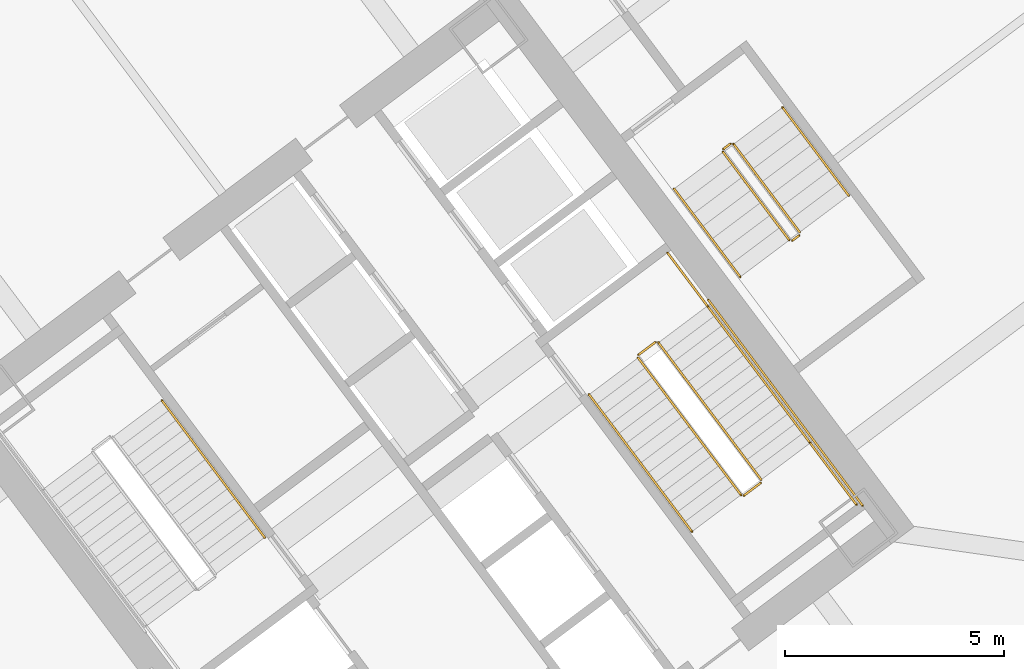
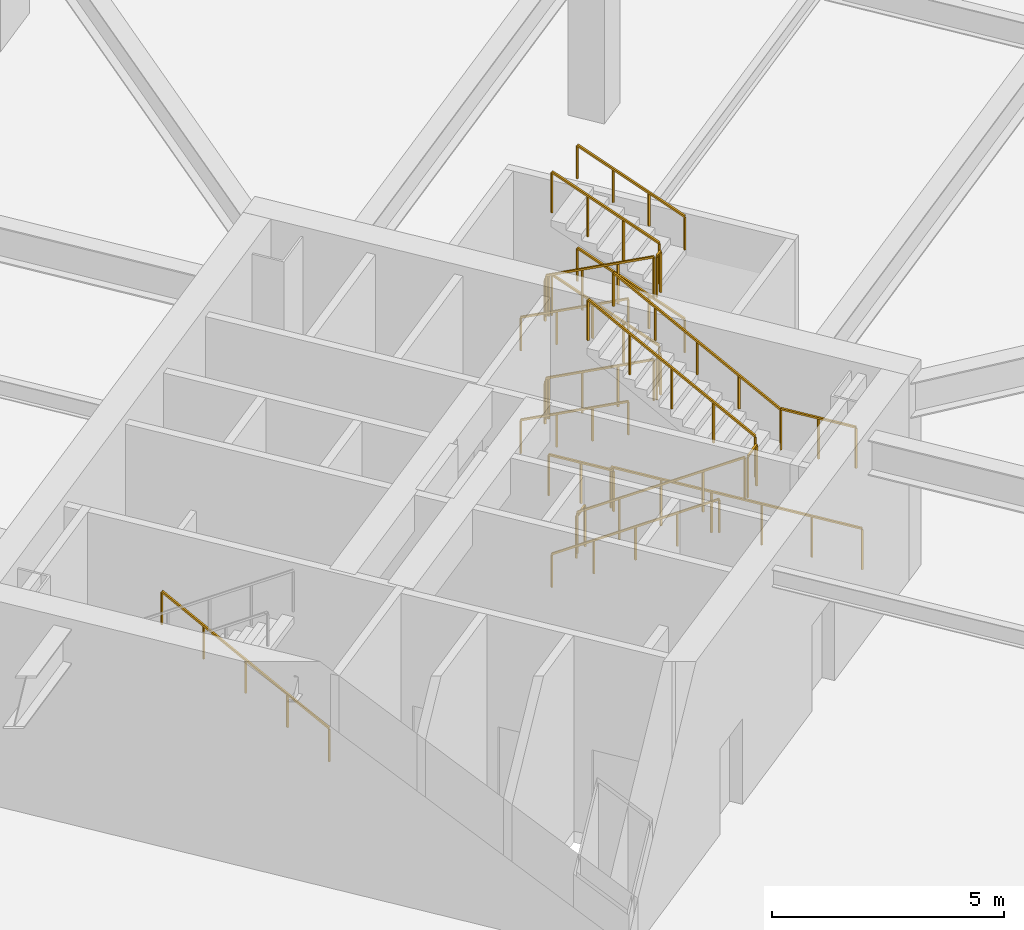
# One storey, part 24 of 26: 22 railings.
"""IFC4 building model written with IfcOpenShell, lengths in metres."""

import ifcopenshell
import ifcopenshell.guid

model = None  # the IFC model being written
_history = None  # IfcOwnerHistory: only IFC2X3 demands one
_inside = {}  # id of a spatial element -> (the spatial element, [elements in it])
_under = {}  # id of a project, library or spatial element -> (it, [spatial elements below it])
_declared = {}  # id of a project -> (the project, [libraries it declares])
_typed = {}  # id of a type object -> (the type object, [elements of that type])
_made_of = {}  # id of a material, layer set ... -> (it, [elements and type objects made of it])


def new_model(schema):
    """Start an empty IFC model of exactly this schema.

    Asked for "IFC4X3", IfcOpenShell would pick the latest addendum, in which some entities
    have other attributes; the version numbers below select the first issue.
    IFC2X3 requires an IfcOwnerHistory on every rooted entity: one is made here for all.
    """
    global model, _history
    if schema == "IFC4X3":
        model = ifcopenshell.file(schema_version=(4, 3, 0, 0))
    else:
        model = ifcopenshell.file(schema=schema)
    _inside.clear()
    _under.clear()
    _declared.clear()
    _typed.clear()
    _made_of.clear()
    _history = None
    if model.schema == "IFC2X3":
        org = make("IfcOrganization", Name="unknown")
        user = make(
            "IfcPersonAndOrganization",
            ThePerson=make("IfcPerson", FamilyName="unknown"),
            TheOrganization=org,
        )
        app = make(
            "IfcApplication",
            ApplicationDeveloper=org,
            Version="unknown",
            ApplicationFullName="unknown",
            ApplicationIdentifier="unknown",
        )
        _history = make(
            "IfcOwnerHistory",
            OwningUser=user,
            OwningApplication=app,
            ChangeAction="ADDED",
            CreationDate=0,
        )
    return model


def make(cls, **values):
    """One entity of the class cls with the attributes given. An attribute that is None is left unset."""
    return model.create_entity(
        cls, **{name: value for name, value in values.items() if value is not None}
    )


def rooted(cls, **values):
    """An entity with a GlobalId (a new one), such as an element, a storey or a relation."""
    return make(cls, GlobalId=ifcopenshell.guid.new(), OwnerHistory=_history, **values)


def si_unit(unit_type, name, prefix=None):
    """IfcSIUnit, for example si_unit("LENGTHUNIT", "METRE", prefix="MILLI")."""
    return make("IfcSIUnit", UnitType=unit_type, Prefix=prefix, Name=name)


def assignment(units):
    """IfcUnitAssignment: the units of a project."""
    return None if units is None else make("IfcUnitAssignment", Units=units)


def point(xyz):
    """IfcCartesianPoint."""
    return None if xyz is None else make("IfcCartesianPoint", Coordinates=xyz)


def direction(xyz):
    """IfcDirection."""
    return None if xyz is None else make("IfcDirection", DirectionRatios=xyz)


def frame(location, z_axis=None, x_axis=None):
    """IfcAxis2Placement3D, a coordinate frame: its origin and axes. An axis left out is left unset."""
    return make(
        "IfcAxis2Placement3D",
        Location=point(location),
        Axis=direction(z_axis),
        RefDirection=direction(x_axis),
    )


def frame_2d(location, x_axis=None):
    """IfcAxis2Placement2D, a coordinate frame in the plane: its origin and x axis."""
    return make(
        "IfcAxis2Placement2D", Location=point(location), RefDirection=direction(x_axis)
    )


def origin():
    """The frame at (0, 0, 0) with its axes left unset."""
    return frame((0.0, 0.0, 0.0))


def origin_2d():
    """The frame at (0, 0) in the plane with its x axis left unset."""
    return frame_2d((0.0, 0.0))


def place(relative_to, where):
    """IfcLocalPlacement: puts the frame where relative to a parent placement (None: the world)."""
    return make(
        "IfcLocalPlacement", PlacementRelTo=relative_to, RelativePlacement=where
    )


def context(
    kind, dimensions, precision=None, world=None, true_north=None, identifier=None
):
    """IfcGeometricRepresentationContext, for example the 3D "Model" context."""
    return make(
        "IfcGeometricRepresentationContext",
        ContextIdentifier=identifier,
        ContextType=kind,
        CoordinateSpaceDimension=dimensions,
        Precision=precision,
        WorldCoordinateSystem=world,
        TrueNorth=true_north,
    )


def subcontext(parent, identifier, kind, view, scale=None):
    """IfcGeometricRepresentationSubContext, for example "Body" below "Model"."""
    return make(
        "IfcGeometricRepresentationSubContext",
        ContextIdentifier=identifier,
        ContextType=kind,
        ParentContext=parent,
        TargetScale=scale,
        TargetView=view,
    )


def project(units=None, contexts=None):
    """IfcProject with its units and contexts."""
    return rooted(
        "IfcProject",
        Name="project",
        RepresentationContexts=contexts,
        UnitsInContext=assignment(units),
    )


def spatial(cls, under=None, at=None, **own):
    """A site, building, storey or space (cls), placed at a placement, below another one or the project."""
    s = rooted(cls, ObjectPlacement=at, **own)
    if under is not None:
        _under.setdefault(under.id(), (under, []))[1].append(s)
    return s


def profile(cls, at=None, kind="AREA", **sizes):
    """A parametric profile (cls). Its sizes go by their IFC names, for example OverallWidth=200.0."""
    return make(cls, ProfileType=kind, Position=at, **sizes)


def rectangle(**sizes):
    """IfcRectangleProfileDef."""
    return profile("IfcRectangleProfileDef", **sizes)


def extrude(swept, where, along, depth):
    """IfcExtrudedAreaSolid: the profile swept, set in the frame where, extruded along a direction by depth."""
    return make(
        "IfcExtrudedAreaSolid",
        SweptArea=swept,
        Position=where,
        ExtrudedDirection=direction(along),
        Depth=depth,
    )


def shape(context_of_items, identifier, shape_type, items):
    """IfcShapeRepresentation: the items that make up one representation, for example the "Body"."""
    return make(
        "IfcShapeRepresentation",
        ContextOfItems=context_of_items,
        RepresentationIdentifier=identifier,
        RepresentationType=shape_type,
        Items=items,
    )


def material(Name=None, Category=None):
    """IfcMaterial."""
    return make("IfcMaterial", Name=Name, Category=Category)


def made_of(thing, what):
    """Note that an element or type object is made of a material, layer set ...; save() writes the relation."""
    if what is not None:
        _made_of.setdefault(what.id(), (what, []))[1].append(thing)
    return thing


def type_object(cls, material=None, **own):
    """A type object (cls), such as IfcWallType, which elements share."""
    return made_of(rooted(cls, **own), material)


def element(
    cls,
    number,
    at=None,
    inside=None,
    cuts=None,
    type_object=None,
    material=None,
    context=None,
    identifier="Body",
    shape_type=None,
    held_by="IfcProductDefinitionShape",
    body=None,
    shapes=None,
    **own,
):
    """One element of the class cls, such as IfcWall. Its Tag is "e" and its number.

    at: its placement. inside: the storey or other place that contains it. cuts: it is an
    opening in that element (IfcRelVoidsElement). A single representation is given by context,
    identifier, shape_type and body (its items); several are given by shapes. held_by: the class
    of the entity that holds the representations. save() writes the other relations.
    """
    e = rooted(cls, Tag="e%d" % number, ObjectPlacement=at, **own)
    if body is not None:
        shapes = [shape(context, identifier, shape_type, body)]
    if shapes is not None:
        e.Representation = make(held_by, Representations=shapes)
    if inside is not None:
        _inside.setdefault(inside.id(), (inside, []))[1].append(e)
    if cuts is not None:
        rooted(
            "IfcRelVoidsElement", RelatingBuildingElement=cuts, RelatedOpeningElement=e
        )
    if type_object is not None:
        _typed.setdefault(type_object.id(), (type_object, []))[1].append(e)
    return made_of(e, material)


def aggregate(whole, parts):
    """IfcRelAggregates: a whole, such as a stair, and the parts it consists of."""
    return rooted("IfcRelAggregates", RelatingObject=whole, RelatedObjects=parts)


def save(model, path):
    """Write the relations noted so far, then the file.

    IfcRelAggregates (storeys below a building ...), IfcRelContainedInSpatialStructure (elements
    in a storey), IfcRelDefinesByType, IfcRelAssociatesMaterial and IfcRelDeclares: one each for
    every whole, place, type object, material and project.
    """
    for whole, parts in _under.values():
        aggregate(whole, parts)
    for where, things in _inside.values():
        rooted(
            "IfcRelContainedInSpatialStructure",
            RelatedElements=things,
            RelatingStructure=where,
        )
    for kind, things in _typed.values():
        rooted("IfcRelDefinesByType", RelatedObjects=things, RelatingType=kind)
    for what, things in _made_of.values():
        rooted("IfcRelAssociatesMaterial", RelatedObjects=things, RelatingMaterial=what)
    for by, libraries in _declared.values():
        rooted("IfcRelDeclares", RelatingContext=by, RelatedDefinitions=libraries)
    model.write(path)


model = new_model("IFC4")

# Units and contexts
model_context = context("Model", 3, precision=1e-05, world=origin(), true_north=direction((0.0, 1.0)))
body_context = subcontext(model_context, "Body", "Model", "MODEL_VIEW")
ifc_project = project(units=[si_unit("LENGTHUNIT", "METRE"), si_unit("AREAUNIT", "SQUARE_METRE"), si_unit("VOLUMEUNIT", "CUBIC_METRE"), si_unit("PLANEANGLEUNIT", "RADIAN"), si_unit("MASSUNIT", "GRAM", prefix="KILO")], contexts=[model_context])

# Site, building, storey
site_placement = place(None, origin())
site = spatial("IfcSite", under=ifc_project, at=site_placement, CompositionType="ELEMENT")
building_placement = place(site_placement, origin())
building = spatial("IfcBuilding", under=site, at=building_placement, Name="Tashvorn Skyway Center", CompositionType="ELEMENT")
storey_placement = place(building_placement, origin())
storey = spatial("IfcBuildingStorey", under=building, at=storey_placement, Name="L00", CompositionType="ELEMENT", Elevation=0.0)

# Railings
ifc_material_1 = material(Name="Brushed stainless steel 316", Category="steel")
railing_type_1 = type_object("IfcRailingType", Name="RAIL-HAND-920", PredefinedType="HANDRAIL", material=ifc_material_1)
railing_1_placement = place(storey_placement, frame((110.2880859375, 30.365966796875, 0.179931640625)))
element("IfcRailing", 1, at=railing_1_placement, inside=storey, type_object=railing_type_1, Name="L00 ST-T2-1 stair handrail 1", PredefinedType="HANDRAIL", context=body_context, shape_type="SweptSolid", body=[
    extrude(rectangle(XDim=0.048095703125, YDim=0.048095703125, at=origin_2d()), frame((0.0, 0.0, 0.8759765625), z_axis=(-0.504715058908, 0.672935948897, 0.54075865041), x_axis=(-0.799992526283, -0.600009964827, 0.0)), (0.0, 0.0, 1.0), 4.66015625),
    extrude(rectangle(XDim=0.0419921875, YDim=0.0419921875, at=origin_2d()), origin(), (0.0, 0.0, 1.0), 0.851806640625),
    extrude(rectangle(XDim=0.0419921875, YDim=0.0419921875, at=origin_2d()), frame((-0.587890625, 0.783935546875, 0.6298828125)), (0.0, 0.0, 1.0), 0.851806640625),
    extrude(rectangle(XDim=0.0419921875, YDim=0.0419921875, at=origin_2d()), frame((-1.176025390625, 1.56787109375, 1.260009765625)), (0.0, 0.0, 1.0), 0.851806640625),
    extrude(rectangle(XDim=0.0419921875, YDim=0.0419921875, at=origin_2d()), frame((-1.76416015625, 2.35205078125, 1.89013671875)), (0.0, 0.0, 1.0), 0.851806640625),
    extrude(rectangle(XDim=0.0419921875, YDim=0.0419921875, at=origin_2d()), frame((-2.35205078125, 3.135986328125, 2.52001953125)), (0.0, 0.0, 1.0), 0.851806640625),
])
railing_2_placement = place(storey_placement, frame((117.7119140625, 33.634033203125, 0.179931640625)))
element("IfcRailing", 2, at=railing_2_placement, inside=storey, type_object=railing_type_1, Name="L00 ST-T2-2 stair handrail 1", PredefinedType="HANDRAIL", context=body_context, shape_type="SweptSolid", body=[
    extrude(rectangle(XDim=0.048095703125, YDim=0.048095703125, at=origin_2d()), frame((0.0, 0.0, 0.8759765625), z_axis=(0.504715058908, -0.672935948897, 0.54075865041), x_axis=(0.799992526283, 0.600009964827, 0.0)), (0.0, 0.0, 1.0), 4.66015625),
    extrude(rectangle(XDim=0.0419921875, YDim=0.0419921875, at=origin_2d()), origin(), (0.0, 0.0, 1.0), 0.851806640625),
    extrude(rectangle(XDim=0.0419921875, YDim=0.0419921875, at=origin_2d()), frame((0.587890625, -0.783935546875, 0.6298828125)), (0.0, 0.0, 1.0), 0.851806640625),
    extrude(rectangle(XDim=0.0419921875, YDim=0.0419921875, at=origin_2d()), frame((1.176025390625, -1.56787109375, 1.260009765625)), (0.0, 0.0, 1.0), 0.851806640625),
    extrude(rectangle(XDim=0.0419921875, YDim=0.0419921875, at=origin_2d()), frame((1.76416015625, -2.35205078125, 1.89013671875)), (0.0, 0.0, 1.0), 0.851806640625),
    extrude(rectangle(XDim=0.0419921875, YDim=0.0419921875, at=origin_2d()), frame((2.35205078125, -3.135986328125, 2.52001953125)), (0.0, 0.0, 1.0), 0.851806640625),
])
railing_3_placement = place(storey_placement, frame((122.76806640625, 32.52587890625, 2.8798828125)))
element("IfcRailing", 3, at=railing_3_placement, inside=storey, type_object=railing_type_1, Name="L00 ST-T2-2 stair handrail 2", PredefinedType="HANDRAIL", context=body_context, shape_type="SweptSolid", body=[
    extrude(rectangle(XDim=0.048095703125, YDim=0.048095703125, at=origin_2d()), frame((0.0, 0.0, 0.8759765625), z_axis=(-0.504697265729, 0.672964612368, 0.540739586553), x_axis=(-0.800014946318, -0.599980071059, 0.0)), (0.0, 0.0, 1.0), 4.660400390625),
    extrude(rectangle(XDim=0.0419921875, YDim=0.0419921875, at=origin_2d()), origin(), (0.0, 0.0, 1.0), 0.851806640625),
    extrude(rectangle(XDim=0.0419921875, YDim=0.0419921875, at=origin_2d()), frame((-0.587890625, 0.7841796875, 0.6298828125)), (0.0, 0.0, 1.0), 0.851806640625),
    extrude(rectangle(XDim=0.0419921875, YDim=0.0419921875, at=origin_2d()), frame((-1.176025390625, 1.568115234375, 1.260009765625)), (0.0, 0.0, 1.0), 0.851806640625),
    extrude(rectangle(XDim=0.0419921875, YDim=0.0419921875, at=origin_2d()), frame((-1.76416015625, 2.35205078125, 1.89013671875)), (0.0, 0.0, 1.0), 0.851806640625),
    extrude(rectangle(XDim=0.0419921875, YDim=0.0419921875, at=origin_2d()), frame((-2.35205078125, 3.13623046875, 2.52001953125)), (0.0, 0.0, 1.0), 0.851806640625),
])
railing_4_placement = place(storey_placement, frame((119.656005859375, 38.342041015625, 0.168701171875)))
element("IfcRailing", 4, at=railing_4_placement, inside=storey, type_object=railing_type_1, Name="L00 ST-T2-3 stair handrail 1", PredefinedType="HANDRAIL", context=body_context, shape_type="SweptSolid", body=[
    extrude(rectangle(XDim=0.048095703125, YDim=0.048095703125, at=origin_2d()), frame((0.0, 0.0, 0.8759765625), z_axis=(0.543237809959, -0.724375558638, 0.42446758637), x_axis=(0.800023250257, 0.599968998406, 0.0)), (0.0, 0.0, 1.0), 2.783203125),
    extrude(rectangle(XDim=0.0419921875, YDim=0.0419921875, at=origin_2d()), origin(), (0.0, 0.0, 1.0), 0.851806640625),
    extrude(rectangle(XDim=0.0419921875, YDim=0.0419921875, at=origin_2d()), frame((0.50390625, -0.672119140625, 0.393798828125)), (0.0, 0.0, 1.0), 0.851806640625),
    extrude(rectangle(XDim=0.0419921875, YDim=0.0419921875, at=origin_2d()), frame((1.008056640625, -1.343994140625, 0.78759765625)), (0.0, 0.0, 1.0), 0.851806640625),
    extrude(rectangle(XDim=0.0419921875, YDim=0.0419921875, at=origin_2d()), frame((1.511962890625, -2.01611328125, 1.181396484375)), (0.0, 0.0, 1.0), 0.851806640625),
])
railing_5_placement = place(storey_placement, frame((123.64794921875, 38.18603515625, 1.518798828125)))
element("IfcRailing", 5, at=railing_5_placement, inside=storey, type_object=railing_type_1, Name="L00 ST-T2-3 stair handrail 2", PredefinedType="HANDRAIL", context=body_context, shape_type="SweptSolid", body=[
    extrude(rectangle(XDim=0.048095703125, YDim=0.048095703125, at=origin_2d()), frame((0.0, 0.0, 0.8759765625), z_axis=(-0.543292558447, 0.724360835636, 0.424422638102), x_axis=(-0.79998837352, -0.60001550166, 0.0)), (0.0, 0.0, 1.0), 2.782958984375),
    extrude(rectangle(XDim=0.0419921875, YDim=0.0419921875, at=origin_2d()), origin(), (0.0, 0.0, 1.0), 0.851806640625),
    extrude(rectangle(XDim=0.0419921875, YDim=0.0419921875, at=origin_2d()), frame((-0.50390625, 0.671875, 0.393798828125)), (0.0, 0.0, 1.0), 0.851806640625),
    extrude(rectangle(XDim=0.0419921875, YDim=0.0419921875, at=origin_2d()), frame((-1.008056640625, 1.343994140625, 0.787353515625)), (0.0, 0.0, 1.0), 0.851806640625),
    extrude(rectangle(XDim=0.0419921875, YDim=0.0419921875, at=origin_2d()), frame((-1.511962890625, 2.015869140625, 1.18115234375)), (0.0, 0.0, 1.0), 0.851806640625),
])
railing_6_placement = place(storey_placement, frame((119.656005859375, 38.342041015625, 2.86865234375)))
element("IfcRailing", 6, at=railing_6_placement, inside=storey, type_object=railing_type_1, Name="L00 ST-T2-3 stair handrail 3", PredefinedType="HANDRAIL", context=body_context, shape_type="SweptSolid", body=[
    extrude(rectangle(XDim=0.048095703125, YDim=0.048095703125, at=origin_2d()), frame((0.0, 0.0, 0.8759765625), z_axis=(0.543237809959, -0.724375558638, 0.42446758637), x_axis=(0.800023250257, 0.599968998406, 0.0)), (0.0, 0.0, 1.0), 2.783203125),
    extrude(rectangle(XDim=0.0419921875, YDim=0.0419921875, at=origin_2d()), origin(), (0.0, 0.0, 1.0), 0.851806640625),
    extrude(rectangle(XDim=0.0419921875, YDim=0.0419921875, at=origin_2d()), frame((0.50390625, -0.672119140625, 0.393798828125)), (0.0, 0.0, 1.0), 0.851806640625),
    extrude(rectangle(XDim=0.0419921875, YDim=0.0419921875, at=origin_2d()), frame((1.008056640625, -1.343994140625, 0.78759765625)), (0.0, 0.0, 1.0), 0.851806640625),
    extrude(rectangle(XDim=0.0419921875, YDim=0.0419921875, at=origin_2d()), frame((1.511962890625, -2.01611328125, 1.181396484375)), (0.0, 0.0, 1.0), 0.851806640625),
])
railing_7_placement = place(storey_placement, frame((123.64794921875, 38.18603515625, 4.21875)))
element("IfcRailing", 7, at=railing_7_placement, inside=storey, type_object=railing_type_1, Name="L00 ST-T2-3 stair handrail 4", PredefinedType="HANDRAIL", context=body_context, shape_type="SweptSolid", body=[
    extrude(rectangle(XDim=0.048095703125, YDim=0.048095703125, at=origin_2d()), frame((0.0, 0.0, 0.8759765625), z_axis=(-0.543292558447, 0.724360835636, 0.424422638102), x_axis=(-0.79998837352, -0.60001550166, 0.0)), (0.0, 0.0, 1.0), 2.782958984375),
    extrude(rectangle(XDim=0.0419921875, YDim=0.0419921875, at=origin_2d()), origin(), (0.0, 0.0, 1.0), 0.851806640625),
    extrude(rectangle(XDim=0.0419921875, YDim=0.0419921875, at=origin_2d()), frame((-0.50390625, 0.671875, 0.393798828125)), (0.0, 0.0, 1.0), 0.851806640625),
    extrude(rectangle(XDim=0.0419921875, YDim=0.0419921875, at=origin_2d()), frame((-1.008056640625, 1.343994140625, 0.787353515625)), (0.0, 0.0, 1.0), 0.851806640625),
    extrude(rectangle(XDim=0.0419921875, YDim=0.0419921875, at=origin_2d()), frame((-1.511962890625, 2.015869140625, 1.18115234375)), (0.0, 0.0, 1.0), 0.851806640625),
])
ifc_material_2 = material(Name="Painted galvanized steel S355", Category="steel")
railing_type_2 = type_object("IfcRailingType", Name="RAIL-STGUARD-1100", PredefinedType="GUARDRAIL", material=ifc_material_2)
railing_8_placement = place(storey_placement, frame((118.83203125, 34.47412109375, 0.179931640625)))
element("IfcRailing", 8, at=railing_8_placement, inside=storey, type_object=railing_type_2, Name="L00 ST-T2-2 stair guard 1", PredefinedType="GUARDRAIL", context=body_context, shape_type="SweptSolid", body=[
    extrude(rectangle(XDim=0.048095703125, YDim=0.048095703125, at=origin_2d()), frame((0.0, 0.0, 1.076171875), z_axis=(0.504697265729, -0.672964612368, 0.540739586553), x_axis=(0.800014946318, 0.599980071059, 0.0)), (0.0, 0.0, 1.0), 4.660400390625),
    extrude(rectangle(XDim=0.0419921875, YDim=0.0419921875, at=origin_2d()), origin(), (0.0, 0.0, 1.0), 1.052001953125),
    extrude(rectangle(XDim=0.0419921875, YDim=0.0419921875, at=origin_2d()), frame((0.587890625, -0.7841796875, 0.6298828125)), (0.0, 0.0, 1.0), 1.052001953125),
    extrude(rectangle(XDim=0.0419921875, YDim=0.0419921875, at=origin_2d()), frame((1.176025390625, -1.568115234375, 1.260009765625)), (0.0, 0.0, 1.0), 1.052001953125),
    extrude(rectangle(XDim=0.0419921875, YDim=0.0419921875, at=origin_2d()), frame((1.76416015625, -2.35205078125, 1.89013671875)), (0.0, 0.0, 1.0), 1.052001953125),
    extrude(rectangle(XDim=0.0419921875, YDim=0.0419921875, at=origin_2d()), frame((2.35205078125, -3.13623046875, 2.52001953125)), (0.0, 0.0, 1.0), 1.052001953125),
])
railing_9_placement = place(storey_placement, frame((121.25390625, 31.327880859375, 2.699951171875)))
element("IfcRailing", 9, at=railing_9_placement, inside=storey, type_object=railing_type_2, Name="L00 ST-T2-2 stair guard 2", PredefinedType="GUARDRAIL", context=body_context, shape_type="SweptSolid", body=[
    extrude(rectangle(XDim=0.048095703125, YDim=0.048095703125, at=origin_2d()), frame((0.0, 0.0, 1.076171875), z_axis=(0.799938970639, 0.600081363861, 0.0), x_axis=(-0.600081363861, 0.799938970639, 0.0)), (0.0, 0.0, 1.0), 0.47998046875),
    extrude(rectangle(XDim=0.0419921875, YDim=0.0419921875, at=origin_2d()), origin(), (0.0, 0.0, 1.0), 1.052001953125),
    extrude(rectangle(XDim=0.0419921875, YDim=0.0419921875, at=origin_2d()), frame((0.384033203125, 0.2880859375, 0.0)), (0.0, 0.0, 1.0), 1.052001953125),
])
railing_10_placement = place(storey_placement, frame((122.76806640625, 32.52587890625, 2.699951171875)))
element("IfcRailing", 10, at=railing_10_placement, inside=storey, type_object=railing_type_2, Name="L00 ST-T2-2 stair guard 3", PredefinedType="GUARDRAIL", context=body_context, shape_type="SweptSolid", body=[
    extrude(rectangle(XDim=0.048095703125, YDim=0.048095703125, at=origin_2d()), frame((0.0, 0.0, 1.076171875), z_axis=(0.599977804058, -0.800016646475, 0.0), x_axis=(0.800016646475, 0.599977804058, 0.0)), (0.0, 0.0, 1.0), 1.760009765625),
    extrude(rectangle(XDim=0.0419921875, YDim=0.0419921875, at=origin_2d()), origin(), (0.0, 0.0, 1.0), 1.052001953125),
    extrude(rectangle(XDim=0.0419921875, YDim=0.0419921875, at=origin_2d()), frame((0.52783203125, -0.7041015625, 0.0)), (0.0, 0.0, 1.0), 1.052001953125),
    extrude(rectangle(XDim=0.0419921875, YDim=0.0419921875, at=origin_2d()), frame((1.055908203125, -1.407958984375, 0.0)), (0.0, 0.0, 1.0), 1.052001953125),
])
railing_11_placement = place(storey_placement, frame((121.64794921875, 31.68603515625, 2.8798828125)))
element("IfcRailing", 11, at=railing_11_placement, inside=storey, type_object=railing_type_2, Name="L00 ST-T2-2 stair guard 4", PredefinedType="GUARDRAIL", context=body_context, shape_type="SweptSolid", body=[
    extrude(rectangle(XDim=0.048095703125, YDim=0.048095703125, at=origin_2d()), frame((0.0, 0.0, 1.076171875), z_axis=(-0.504715058908, 0.672935948897, 0.54075865041), x_axis=(-0.799992526283, -0.600009964827, 0.0)), (0.0, 0.0, 1.0), 4.66015625),
    extrude(rectangle(XDim=0.0419921875, YDim=0.0419921875, at=origin_2d()), origin(), (0.0, 0.0, 1.0), 1.052001953125),
    extrude(rectangle(XDim=0.0419921875, YDim=0.0419921875, at=origin_2d()), frame((-0.587890625, 0.783935546875, 0.6298828125)), (0.0, 0.0, 1.0), 1.052001953125),
    extrude(rectangle(XDim=0.0419921875, YDim=0.0419921875, at=origin_2d()), frame((-1.176025390625, 1.56787109375, 1.260009765625)), (0.0, 0.0, 1.0), 1.052001953125),
    extrude(rectangle(XDim=0.0419921875, YDim=0.0419921875, at=origin_2d()), frame((-1.76416015625, 2.35205078125, 1.89013671875)), (0.0, 0.0, 1.0), 1.052001953125),
    extrude(rectangle(XDim=0.0419921875, YDim=0.0419921875, at=origin_2d()), frame((-2.35205078125, 3.135986328125, 2.52001953125)), (0.0, 0.0, 1.0), 1.052001953125),
])
railing_12_placement = place(storey_placement, frame((118.842041015625, 34.5439453125, 0.0)))
element("IfcRailing", 12, at=railing_12_placement, inside=storey, type_object=railing_type_2, Name="L00 ST-T2-2 stair guard 5", PredefinedType="GUARDRAIL", context=body_context, shape_type="SweptSolid", body=[
    extrude(rectangle(XDim=0.048095703125, YDim=0.048095703125, at=origin_2d()), frame((0.0, 0.0, 1.076171875), z_axis=(0.799938970639, 0.600081363861, 0.0), x_axis=(-0.600081363861, 0.799938970639, 0.0)), (0.0, 0.0, 1.0), 0.47998046875),
    extrude(rectangle(XDim=0.0419921875, YDim=0.0419921875, at=origin_2d()), origin(), (0.0, 0.0, 1.0), 1.052001953125),
    extrude(rectangle(XDim=0.0419921875, YDim=0.0419921875, at=origin_2d()), frame((0.384033203125, 0.2880859375, 0.0)), (0.0, 0.0, 1.0), 1.052001953125),
])
railing_13_placement = place(storey_placement, frame((119.50390625, 36.8779296875, 0.0)))
element("IfcRailing", 13, at=railing_13_placement, inside=storey, type_object=railing_type_2, Name="L00 ST-T2-2 stair guard 6", PredefinedType="GUARDRAIL", context=body_context, shape_type="SweptSolid", body=[
    extrude(rectangle(XDim=0.048095703125, YDim=0.048095703125, at=origin_2d()), frame((0.0, 0.0, 1.076171875), z_axis=(0.600102796382, -0.799922892393, 0.0), x_axis=(0.799922892393, 0.600102796382, 0.0)), (0.0, 0.0, 1.0), 1.52001953125),
    extrude(rectangle(XDim=0.0419921875, YDim=0.0419921875, at=origin_2d()), origin(), (0.0, 0.0, 1.0), 1.052001953125),
    extrude(rectangle(XDim=0.0419921875, YDim=0.0419921875, at=origin_2d()), frame((0.4560546875, -0.60791015625, 0.0)), (0.0, 0.0, 1.0), 1.052001953125),
    extrude(rectangle(XDim=0.0419921875, YDim=0.0419921875, at=origin_2d()), frame((0.912109375, -1.2158203125, 0.0)), (0.0, 0.0, 1.0), 1.052001953125),
])
railing_14_placement = place(storey_placement, frame((120.43603515625, 35.802001953125, 0.0)))
element("IfcRailing", 14, at=railing_14_placement, inside=storey, type_object=railing_type_2, Name="L00 ST-T2-2 stair guard 7", PredefinedType="GUARDRAIL", context=body_context, shape_type="SweptSolid", body=[
    extrude(rectangle(XDim=0.048095703125, YDim=0.048095703125, at=origin_2d()), frame((0.0, 0.0, 1.076171875), z_axis=(0.6, -0.8, 0.0), x_axis=(0.8, 0.6, 0.0)), (0.0, 0.0, 1.0), 5.880126953125),
    extrude(rectangle(XDim=0.0419921875, YDim=0.0419921875, at=origin_2d()), origin(), (0.0, 0.0, 1.0), 1.052001953125),
    extrude(rectangle(XDim=0.0419921875, YDim=0.0419921875, at=origin_2d()), frame((0.70556640625, -0.94091796875, 0.0)), (0.0, 0.0, 1.0), 1.052001953125),
    extrude(rectangle(XDim=0.0419921875, YDim=0.0419921875, at=origin_2d()), frame((1.4111328125, -1.881591796875, 0.0)), (0.0, 0.0, 1.0), 1.052001953125),
    extrude(rectangle(XDim=0.0419921875, YDim=0.0419921875, at=origin_2d()), frame((2.116943359375, -2.822509765625, 0.0)), (0.0, 0.0, 1.0), 1.052001953125),
    extrude(rectangle(XDim=0.0419921875, YDim=0.0419921875, at=origin_2d()), frame((2.822509765625, -3.76318359375, 0.0)), (0.0, 0.0, 1.0), 1.052001953125),
    extrude(rectangle(XDim=0.0419921875, YDim=0.0419921875, at=origin_2d()), frame((3.528076171875, -4.7041015625, 0.0)), (0.0, 0.0, 1.0), 1.052001953125),
])
railing_15_placement = place(storey_placement, frame((120.77587890625, 39.181884765625, 0.168701171875)))
element("IfcRailing", 15, at=railing_15_placement, inside=storey, type_object=railing_type_2, Name="L00 ST-T2-3 stair guard 1", PredefinedType="GUARDRAIL", context=body_context, shape_type="SweptSolid", body=[
    extrude(rectangle(XDim=0.048095703125, YDim=0.048095703125, at=origin_2d()), frame((0.0, 0.0, 1.076171875), z_axis=(0.543334156948, -0.724299343545, 0.424474327651), x_axis=(0.799941867976, 0.600077501544, 0.0)), (0.0, 0.0, 1.0), 2.783203125),
    extrude(rectangle(XDim=0.0419921875, YDim=0.0419921875, at=origin_2d()), origin(), (0.0, 0.0, 1.0), 1.052001953125),
    extrude(rectangle(XDim=0.0419921875, YDim=0.0419921875, at=origin_2d()), frame((0.504150390625, -0.671875, 0.393798828125)), (0.0, 0.0, 1.0), 1.052001953125),
    extrude(rectangle(XDim=0.0419921875, YDim=0.0419921875, at=origin_2d()), frame((1.008056640625, -1.343994140625, 0.78759765625)), (0.0, 0.0, 1.0), 1.052001953125),
    extrude(rectangle(XDim=0.0419921875, YDim=0.0419921875, at=origin_2d()), frame((1.51220703125, -2.015869140625, 1.181396484375)), (0.0, 0.0, 1.0), 1.052001953125),
])
railing_16_placement = place(storey_placement, frame((122.35791015625, 37.156005859375, 1.35009765625)))
element("IfcRailing", 16, at=railing_16_placement, inside=storey, type_object=railing_type_2, Name="L00 ST-T2-3 stair guard 2", PredefinedType="GUARDRAIL", context=body_context, shape_type="SweptSolid", body=[
    extrude(rectangle(XDim=0.048095703125, YDim=0.048095703125, at=origin_2d()), frame((0.0, 0.0, 1.076171875), z_axis=(0.800585412921, 0.599218655098, 0.0), x_axis=(-0.599218655098, 0.800585412921, 0.0)), (0.0, 0.0, 1.0), 0.199951171875),
    extrude(rectangle(XDim=0.0419921875, YDim=0.0419921875, at=origin_2d()), origin(), (0.0, 0.0, 1.0), 1.052001953125),
    extrude(rectangle(XDim=0.0419921875, YDim=0.0419921875, at=origin_2d()), frame((0.16015625, 0.119873046875, 0.0)), (0.0, 0.0, 1.0), 1.052001953125),
])
railing_17_placement = place(storey_placement, frame((122.528076171875, 37.345947265625, 1.518798828125)))
element("IfcRailing", 17, at=railing_17_placement, inside=storey, type_object=railing_type_2, Name="L00 ST-T2-3 stair guard 3", PredefinedType="GUARDRAIL", context=body_context, shape_type="SweptSolid", body=[
    extrude(rectangle(XDim=0.048095703125, YDim=0.048095703125, at=origin_2d()), frame((0.0, 0.0, 1.076171875), z_axis=(-0.543258035624, 0.724402528368, 0.424395668715), x_axis=(-0.800023250257, -0.599968998406, 0.0)), (0.0, 0.0, 1.0), 2.783203125),
    extrude(rectangle(XDim=0.0419921875, YDim=0.0419921875, at=origin_2d()), origin(), (0.0, 0.0, 1.0), 1.052001953125),
    extrude(rectangle(XDim=0.0419921875, YDim=0.0419921875, at=origin_2d()), frame((-0.50390625, 0.672119140625, 0.393798828125)), (0.0, 0.0, 1.0), 1.052001953125),
    extrude(rectangle(XDim=0.0419921875, YDim=0.0419921875, at=origin_2d()), frame((-1.008056640625, 1.343994140625, 0.787353515625)), (0.0, 0.0, 1.0), 1.052001953125),
    extrude(rectangle(XDim=0.0419921875, YDim=0.0419921875, at=origin_2d()), frame((-1.511962890625, 2.01611328125, 1.18115234375)), (0.0, 0.0, 1.0), 1.052001953125),
])
railing_18_placement = place(storey_placement, frame((120.785888671875, 39.251953125, 2.699951171875)))
element("IfcRailing", 18, at=railing_18_placement, inside=storey, type_object=railing_type_2, Name="L00 ST-T2-3 stair guard 4", PredefinedType="GUARDRAIL", context=body_context, shape_type="SweptSolid", body=[
    extrude(rectangle(XDim=0.048095703125, YDim=0.048095703125, at=origin_2d()), frame((0.0, 0.0, 1.076171875), z_axis=(0.8, 0.6, 0.0), x_axis=(-0.6, 0.8, 0.0)), (0.0, 0.0, 1.0), 0.2001953125),
    extrude(rectangle(XDim=0.0419921875, YDim=0.0419921875, at=origin_2d()), origin(), (0.0, 0.0, 1.0), 1.052001953125),
    extrude(rectangle(XDim=0.0419921875, YDim=0.0419921875, at=origin_2d()), frame((0.16015625, 0.1201171875, 0.0)), (0.0, 0.0, 1.0), 1.052001953125),
])
railing_19_placement = place(storey_placement, frame((120.77587890625, 39.181884765625, 2.86865234375)))
element("IfcRailing", 19, at=railing_19_placement, inside=storey, type_object=railing_type_2, Name="L00 ST-T2-3 stair guard 5", PredefinedType="GUARDRAIL", context=body_context, shape_type="SweptSolid", body=[
    extrude(rectangle(XDim=0.048095703125, YDim=0.048095703125, at=origin_2d()), frame((0.0, 0.0, 1.076171875), z_axis=(0.543334156948, -0.724299343545, 0.424474327651), x_axis=(0.799941867976, 0.600077501544, 0.0)), (0.0, 0.0, 1.0), 2.783203125),
    extrude(rectangle(XDim=0.0419921875, YDim=0.0419921875, at=origin_2d()), origin(), (0.0, 0.0, 1.0), 1.052001953125),
    extrude(rectangle(XDim=0.0419921875, YDim=0.0419921875, at=origin_2d()), frame((0.504150390625, -0.671875, 0.393798828125)), (0.0, 0.0, 1.0), 1.052001953125),
    extrude(rectangle(XDim=0.0419921875, YDim=0.0419921875, at=origin_2d()), frame((1.008056640625, -1.343994140625, 0.78759765625)), (0.0, 0.0, 1.0), 1.052001953125),
    extrude(rectangle(XDim=0.0419921875, YDim=0.0419921875, at=origin_2d()), frame((1.51220703125, -2.015869140625, 1.181396484375)), (0.0, 0.0, 1.0), 1.052001953125),
])
railing_20_placement = place(storey_placement, frame((122.35791015625, 37.156005859375, 4.050048828125)))
element("IfcRailing", 20, at=railing_20_placement, inside=storey, type_object=railing_type_2, Name="L00 ST-T2-3 stair guard 6", PredefinedType="GUARDRAIL", context=body_context, shape_type="SweptSolid", body=[
    extrude(rectangle(XDim=0.048095703125, YDim=0.048095703125, at=origin_2d()), frame((0.0, 0.0, 1.076171875), z_axis=(0.800585412921, 0.599218655098, 0.0), x_axis=(-0.599218655098, 0.800585412921, 0.0)), (0.0, 0.0, 1.0), 0.199951171875),
    extrude(rectangle(XDim=0.0419921875, YDim=0.0419921875, at=origin_2d()), origin(), (0.0, 0.0, 1.0), 1.052001953125),
    extrude(rectangle(XDim=0.0419921875, YDim=0.0419921875, at=origin_2d()), frame((0.16015625, 0.119873046875, 0.0)), (0.0, 0.0, 1.0), 1.052001953125),
])
railing_21_placement = place(storey_placement, frame((122.528076171875, 37.345947265625, 4.21875)))
element("IfcRailing", 21, at=railing_21_placement, inside=storey, type_object=railing_type_2, Name="L00 ST-T2-3 stair guard 7", PredefinedType="GUARDRAIL", context=body_context, shape_type="SweptSolid", body=[
    extrude(rectangle(XDim=0.048095703125, YDim=0.048095703125, at=origin_2d()), frame((0.0, 0.0, 1.076171875), z_axis=(-0.543258035624, 0.724402528368, 0.424395668715), x_axis=(-0.800023250257, -0.599968998406, 0.0)), (0.0, 0.0, 1.0), 2.783203125),
    extrude(rectangle(XDim=0.0419921875, YDim=0.0419921875, at=origin_2d()), origin(), (0.0, 0.0, 1.0), 1.052001953125),
    extrude(rectangle(XDim=0.0419921875, YDim=0.0419921875, at=origin_2d()), frame((-0.50390625, 0.672119140625, 0.393798828125)), (0.0, 0.0, 1.0), 1.052001953125),
    extrude(rectangle(XDim=0.0419921875, YDim=0.0419921875, at=origin_2d()), frame((-1.008056640625, 1.343994140625, 0.787353515625)), (0.0, 0.0, 1.0), 1.052001953125),
    extrude(rectangle(XDim=0.0419921875, YDim=0.0419921875, at=origin_2d()), frame((-1.511962890625, 2.01611328125, 1.18115234375)), (0.0, 0.0, 1.0), 1.052001953125),
])
railing_22_placement = place(storey_placement, frame((120.785888671875, 39.251953125, 0.0)))
element("IfcRailing", 22, at=railing_22_placement, inside=storey, type_object=railing_type_2, Name="L00 ST-T2-3 stair guard 8", PredefinedType="GUARDRAIL", context=body_context, shape_type="SweptSolid", body=[
    extrude(rectangle(XDim=0.048095703125, YDim=0.048095703125, at=origin_2d()), frame((0.0, 0.0, 1.076171875), z_axis=(0.8, 0.6, 0.0), x_axis=(-0.6, 0.8, 0.0)), (0.0, 0.0, 1.0), 0.2001953125),
    extrude(rectangle(XDim=0.0419921875, YDim=0.0419921875, at=origin_2d()), origin(), (0.0, 0.0, 1.0), 1.052001953125),
    extrude(rectangle(XDim=0.0419921875, YDim=0.0419921875, at=origin_2d()), frame((0.16015625, 0.1201171875, 0.0)), (0.0, 0.0, 1.0), 1.052001953125),
])

save(model, "model.ifc")
